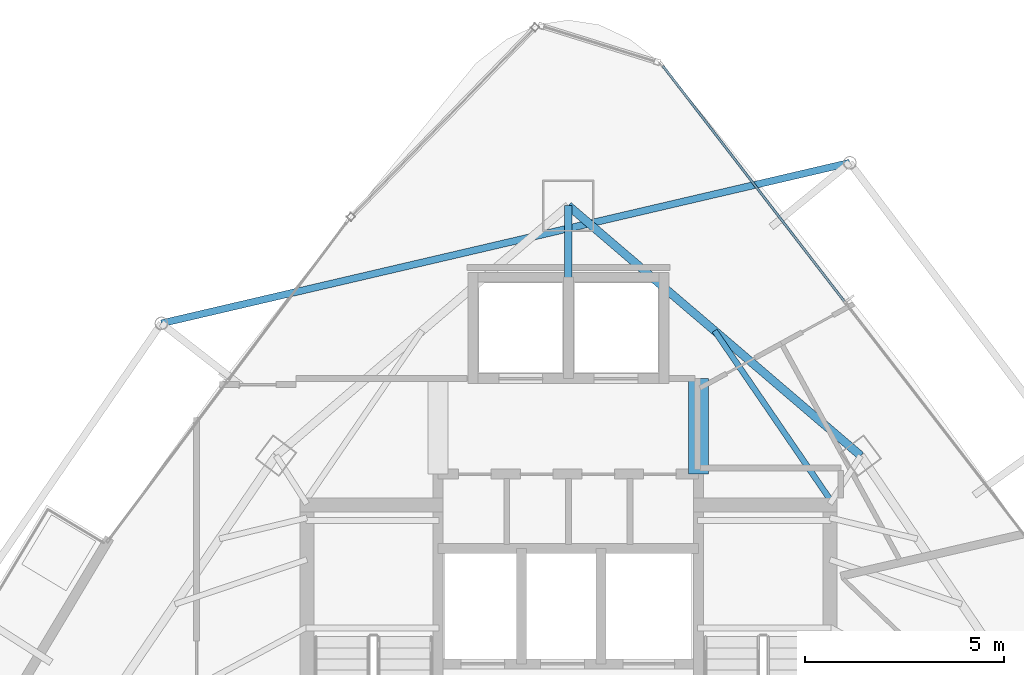
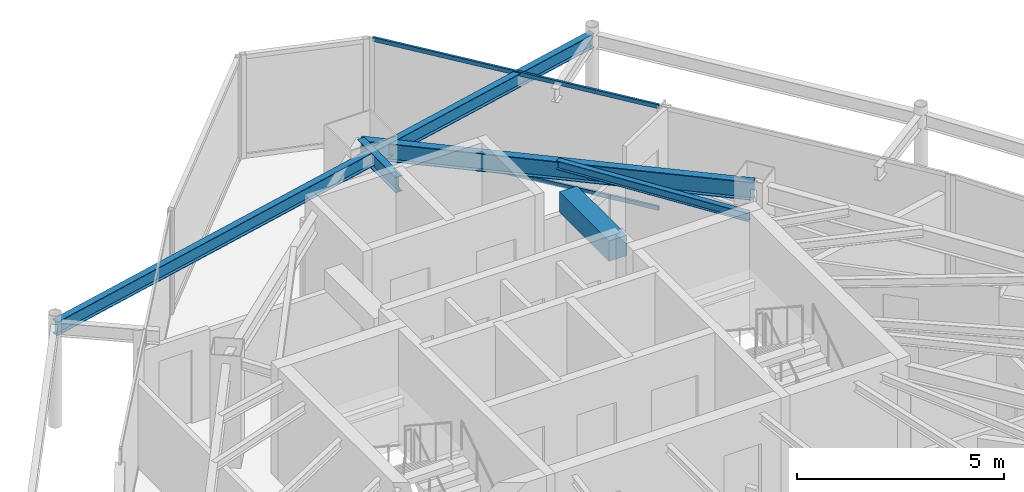
# One storey, part 23 of 32: 5 beams, 2 members, 1 element without a shape of its own.
"""IFC4 building model written with IfcOpenShell, lengths in metres."""

from ifc_helpers import new_model, si_unit, direction, frame, origin, origin_2d, place, context, subcontext, project, spatial, rectangle, hollow_rectangle, i_section, extrude, material, layer, layer_set, material_profile, profile_set, type_object, element, aggregate, save


model = new_model("IFC4")

# Units and contexts
model_context = context("Model", 3, precision=1e-05, world=origin(), true_north=direction((0.0, 1.0)))
body_context = subcontext(model_context, "Body", "Model", "MODEL_VIEW")
ifc_project = project(units=[si_unit("LENGTHUNIT", "METRE"), si_unit("AREAUNIT", "SQUARE_METRE"), si_unit("VOLUMEUNIT", "CUBIC_METRE"), si_unit("PLANEANGLEUNIT", "RADIAN"), si_unit("MASSUNIT", "GRAM", prefix="KILO")], contexts=[model_context])

# Site, building, storey
site_placement = place(None, origin())
site = spatial("IfcSite", under=ifc_project, at=site_placement, CompositionType="ELEMENT")
building_placement = place(site_placement, origin())
building = spatial("IfcBuilding", under=site, at=building_placement, Name="Orvanel Arch Residences", CompositionType="ELEMENT")
storey_placement = place(building_placement, frame((0.0, 0.0, 216.199951171875)))
storey = spatial("IfcBuildingStorey", under=building, at=storey_placement, Name="L61", CompositionType="ELEMENT", Elevation=216.199951171875)

# Beams
ifc_material_1 = material(Name="Structural steel AS/NZS 3679.1 Grade 300 (300 MPa)", Category="steel")
ifc_material_profile_1 = material_profile(ifc_material_1, i_section(OverallWidth=0.19091796875, OverallDepth=0.4599609375, WebThickness=0.010009765625, FlangeThickness=0.01611328125, at=origin_2d()), Name="460UB82.1")
ifc_profile_set_1 = profile_set([ifc_material_profile_1], Name="Structural steel AS/NZS 3679.1 Grade 300 (300 MPa)")
beam_type_1 = type_object("IfcBeamType", Name="BG-460UB", PredefinedType="BEAM", material=ifc_profile_set_1)
beam_1_placement = place(storey_placement, frame((33.0, 39.550048828125, 2.830078125), z_axis=(0.0, 1.0, 0.0), x_axis=(-1.0, 0.0, 0.0)))
element("IfcBeam", 1, at=beam_1_placement, inside=storey, type_object=beam_type_1, Name="L61 North Radial Girder", PredefinedType="BEAM", context=body_context, shape_type="SweptSolid", body=[
    extrude(i_section(OverallWidth=0.19091796875, OverallDepth=0.4599609375, WebThickness=0.010009765625, FlangeThickness=0.01611328125, at=origin_2d()), origin(), (0.0, 0.0, 1.0), 1.847900390625),
])
ifc_material_profile_2 = material_profile(ifc_material_1, i_section(OverallWidth=0.14599609375, OverallDepth=0.251953125, WebThickness=0.006103515625, FlangeThickness=0.008544921875, at=origin_2d()), Name="250UB31.4")
ifc_profile_set_2 = profile_set([ifc_material_profile_2], Name="Structural steel AS/NZS 3679.1 Grade 300 (300 MPa)")
beam_type_2 = type_object("IfcBeamType", Name="BJ-250UB", PredefinedType="JOIST", material=ifc_profile_set_2)
beam_2_placement = place(storey_placement, frame((39.574951171875, 34.02001953125, 2.93408203125), z_axis=(-0.564868085352, 0.825181220188, 0.0), x_axis=(-0.825181220188, -0.564868085352, 0.0)))
element("IfcBeam", 2, at=beam_2_placement, inside=storey, type_object=beam_type_2, Name="L61 NNE2 Wing Floor Joist", PredefinedType="JOIST", context=body_context, shape_type="SweptSolid", body=[
    extrude(i_section(OverallWidth=0.14599609375, OverallDepth=0.251953125, WebThickness=0.006103515625, FlangeThickness=0.008544921875, at=origin_2d()), origin(), (0.0, 0.0, 1.0), 5.132080078125),
])
ifc_material_2 = material(Name="Concrete S65 (65 MPa)", Category="concrete")
ifc_material_profile_3 = material_profile(ifc_material_2, rectangle(XDim=0.5, YDim=0.60009765625, at=origin_2d()), Name="RC500x600")
ifc_profile_set_3 = profile_set([ifc_material_profile_3], Name="Concrete S65 (65 MPa)")
beam_type_3 = type_object("IfcBeamType", Name="CB-500x600", PredefinedType="LINTEL", material=ifc_profile_set_3)
beam_3_placement = place(storey_placement, frame((36.27490234375, 34.64990234375, 2.760009765625), z_axis=(0.0, 1.0, 0.0), x_axis=(-1.0, 0.0, 0.0)))
element("IfcBeam", 3, at=beam_3_placement, inside=storey, type_object=beam_type_3, Name="L61 East Core Lobby Coupling Lintel Beam", PredefinedType="LINTEL", context=body_context, shape_type="SweptSolid", body=[
    extrude(rectangle(XDim=0.5, YDim=0.60009765625, at=origin_2d()), origin(), (0.0, 0.0, 1.0), 2.400146484375),
])
ifc_material_profile_4 = material_profile(ifc_material_1, i_section(OverallWidth=0.177978515625, OverallDepth=0.406005859375, WebThickness=0.0078125, FlangeThickness=0.0126953125, at=origin_2d()), Name="410UB59.7")
ifc_profile_set_4 = profile_set([ifc_material_profile_4], Name="Structural steel AS/NZS 3679.1 Grade 300 (300 MPa)")
beam_type_4 = type_object("IfcBeamType", Name="OB-410UB-EXT", PredefinedType="SPANDREL", material=ifc_profile_set_4)
beam_4_placement = place(storey_placement, frame((40.076904296875, 42.47900390625, 2.85693359375), z_axis=(-0.973846274562, -0.227207908142, 0.0), x_axis=(0.227207908142, -0.973846274562, 0.0)))
element("IfcBeam", 4, at=beam_4_placement, inside=storey, type_object=beam_type_4, Name="L61 Outer Perimeter Floor Ring Beam 12", PredefinedType="SPANDREL", context=body_context, shape_type="SweptSolid", body=[
    extrude(i_section(OverallWidth=0.177978515625, OverallDepth=0.406005859375, WebThickness=0.0078125, FlangeThickness=0.0126953125, at=origin_2d()), origin(), (0.0, 0.0, 1.0), 17.77685546875),
])
ifc_material_profile_5 = material_profile(ifc_material_1, i_section(OverallWidth=0.208984375, OverallDepth=0.532958984375, WebThickness=0.01025390625, FlangeThickness=0.015625, at=origin_2d()), Name="530UB92.4")
ifc_profile_set_5 = profile_set([ifc_material_profile_5], Name="Structural steel AS/NZS 3679.1 Grade 300 (300 MPa)")
beam_type_5 = type_object("IfcBeamType", Name="SP-530UB", PredefinedType="SPANDREL", material=ifc_profile_set_5)
beam_5_placement = place(storey_placement, frame((40.35205078125, 35.113037109375, 2.79296875), z_axis=(-0.760116518398, 0.649786794617, 0.0), x_axis=(-0.649786794617, -0.760116518398, 0.0)))
element("IfcBeam", 5, at=beam_5_placement, inside=storey, type_object=beam_type_5, Name="L61 Perimeter Spandrel Beam 09", PredefinedType="SPANDREL", context=body_context, shape_type="SweptSolid", body=[
    extrude(i_section(OverallWidth=0.208984375, OverallDepth=0.532958984375, WebThickness=0.01025390625, FlangeThickness=0.015625, at=origin_2d()), origin(), (0.0, 0.0, 1.0), 9.67236328125),
])

# Curtain wall, members
ifc_material_3 = material(Name="Bronze-anodised aluminium AA6063-T6", Category="aluminium")
ifc_layer = layer(ifc_material_3, 0.175048828125)
ifc_layer_set = layer_set([ifc_layer], Name="Bronze-anodised aluminium AA6063-T6")
curtain_wall_type = type_object("IfcCurtainWallType", Name="CW4-HI-SYS", PredefinedType="NOTDEFINED", material=ifc_layer_set)
curtain_wall_placement = place(storey_placement, origin())
curtain_wall = element("IfcCurtainWall", 6, at=curtain_wall_placement, inside=storey, type_object=curtain_wall_type, Name="L61 CW4-HI-SYS Unitised Curtain Wall", PredefinedType="NOTDEFINED")
ifc_material_profile_6 = material_profile(ifc_material_3, hollow_rectangle(XDim=0.06005859375, YDim=0.1201171875, WallThickness=0.00341796875, at=origin_2d()), Name="ALU120x60x3.5")
ifc_profile_set_6 = profile_set([ifc_material_profile_6], Name="Bronze-anodised aluminium AA6063-T6")
member_type = type_object("IfcMemberType", Name="TRN-120x60", PredefinedType="USERDEFINED", material=ifc_profile_set_6)
member_1_placement = place(storey_placement, frame((39.93603515625, 38.997802734375, 0.030029296875), z_axis=(-0.610559498892, 0.791970389796, 0.0), x_axis=(-0.791970389796, -0.610559498892, 0.0)))
member_1 = element("IfcMember", 7, at=member_1_placement, type_object=member_type, Name="CW-S4 transom 2.1", ObjectType="TRANSOM", PredefinedType="USERDEFINED", context=body_context, shape_type="SweptSolid", body=[
    extrude(hollow_rectangle(XDim=0.06005859375, YDim=0.1201171875, WallThickness=0.00341796875, at=origin_2d()), origin(), (0.0, 0.0, 1.0), 7.475830078125),
])
member_2_placement = place(storey_placement, frame((39.93603515625, 38.997802734375, 3.030029296875), z_axis=(-0.610559498892, 0.791970389796, 0.0), x_axis=(-0.791970389796, -0.610559498892, 0.0)))
member_2 = element("IfcMember", 8, at=member_2_placement, type_object=member_type, Name="CW-S4 transom 2.2", ObjectType="TRANSOM", PredefinedType="USERDEFINED", context=body_context, shape_type="SweptSolid", body=[
    extrude(hollow_rectangle(XDim=0.06005859375, YDim=0.1201171875, WallThickness=0.00341796875, at=origin_2d()), origin(), (0.0, 0.0, 1.0), 7.475830078125),
])
aggregate(curtain_wall, [member_1, member_2])

save(model, "model.ifc")
